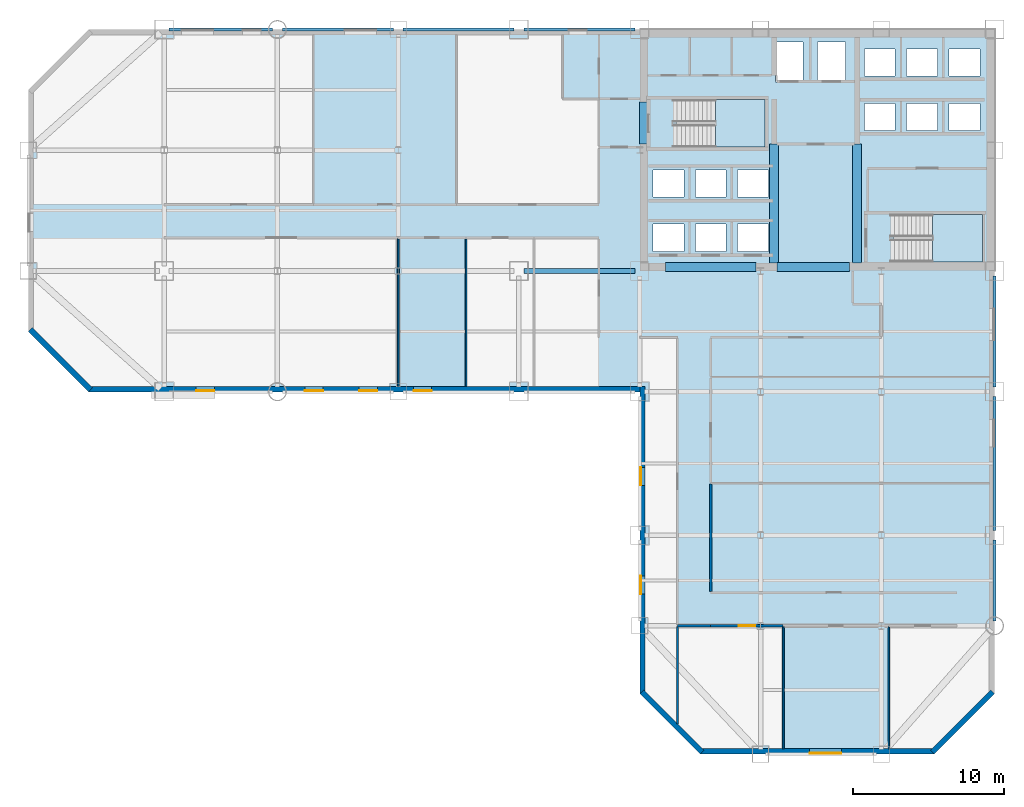
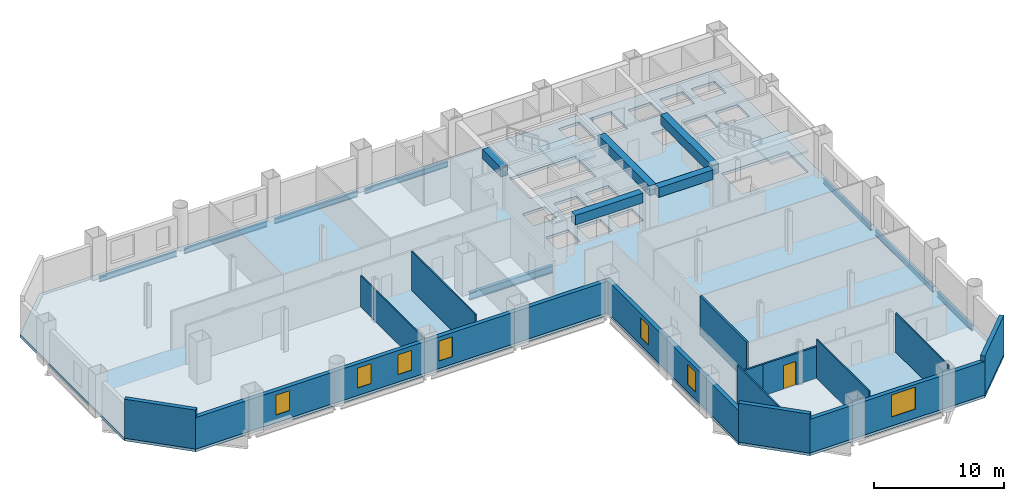
# One storey, part 4 of 9: 14 walls, 13 beams, 7 windows, 3 slabs, 1 door, 8 openings, 2 elements without a shape of their own.
"""IFC4 building model written with IfcOpenShell, lengths in metres."""

from ifc_helpers import new_model, si_unit, direction, frame, frame_2d, origin, origin_2d, place, context, subcontext, project, spatial, polyline, rectangle, i_section, outline, extrude, material, layer, layer_set, material_profile, profile_set, type_object, element, fill, aggregate, save


model = new_model("IFC4")

# Units and contexts
model_context = context("Model", 3, precision=1e-05, world=origin(), true_north=direction((0.0, 1.0)))
body_context = subcontext(model_context, "Body", "Model", "MODEL_VIEW")
ifc_project = project(units=[si_unit("LENGTHUNIT", "METRE"), si_unit("AREAUNIT", "SQUARE_METRE"), si_unit("VOLUMEUNIT", "CUBIC_METRE"), si_unit("PLANEANGLEUNIT", "RADIAN"), si_unit("MASSUNIT", "GRAM", prefix="KILO")], contexts=[model_context])

# Site, building, storey
site_placement = place(None, origin())
site = spatial("IfcSite", under=ifc_project, at=site_placement, CompositionType="ELEMENT")
building_placement = place(site_placement, origin())
building = spatial("IfcBuilding", under=site, at=building_placement, Name="Qianrong Seaharbour Tower", CompositionType="ELEMENT")
storey_placement = place(building_placement, frame((0.0, 0.0, 104.199951171875)))
storey = spatial("IfcBuildingStorey", under=building, at=storey_placement, Name="L25", CompositionType="ELEMENT", Elevation=104.199951171875)

# Beams
ifc_material_1 = material(Name="Structural steel SN490B", Category="steel")
ifc_material_profile_1 = material_profile(ifc_material_1, i_section(OverallWidth=0.300048828125, OverallDepth=0.699951171875, WebThickness=0.012939453125, FlangeThickness=0.02392578125, FilletRadius=0.02587890625, at=origin_2d()), Name="H700x300x13x24")
ifc_profile_set_1 = profile_set([ifc_material_profile_1], Name="Structural steel SN490B")
beam_type_1 = type_object("IfcBeamType", Name="BM-G-700", PredefinedType="BEAM", material=ifc_profile_set_1)
beam_1_placement = place(storey_placement, frame((32.820068359375, 36.0, -0.599853515625), z_axis=(1.0, 0.0, 0.0), x_axis=(0.0, 1.0, 0.0)))
element("IfcBeam", 1, at=beam_1_placement, inside=storey, type_object=beam_type_1, Name="L25 Primary Girder GF G5-G6", PredefinedType="BEAM", context=body_context, shape_type="SweptSolid", body=[
    extrude(i_section(OverallWidth=0.300048828125, OverallDepth=0.699951171875, WebThickness=0.012939453125, FlangeThickness=0.02392578125, FilletRadius=0.02587890625, at=origin_2d()), origin(), (0.0, 0.0, 1.0), 7.35986328125),
])
ifc_material_2 = material(Name="Concrete C70/85", Category="concrete")
ifc_material_profile_2 = material_profile(ifc_material_2, rectangle(XDim=0.60009765625, YDim=0.89990234375, at=origin_2d()), Name="RC600x900")
ifc_profile_set_2 = profile_set([ifc_material_profile_2], Name="Concrete C70/85")
beam_type_2 = type_object("IfcBeamType", Name="BM-LINTEL-900", PredefinedType="LINTEL", material=ifc_profile_set_2)
beam_2_placement = place(storey_placement, frame((40.77001953125, 44.39990234375, 3.199951171875), z_axis=(0.0, 1.0, 0.0), x_axis=(-1.0, 0.0, 0.0)))
element("IfcBeam", 2, at=beam_2_placement, inside=storey, type_object=beam_type_2, Name="L25 Core Coupling Lintel Beam West", PredefinedType="LINTEL", context=body_context, shape_type="SweptSolid", body=[
    extrude(rectangle(XDim=0.60009765625, YDim=0.89990234375, at=origin_2d()), origin(), (0.0, 0.0, 1.0), 2.800048828125),
])
beam_3_placement = place(storey_placement, frame((42.199951171875, 36.27001953125, 3.199951171875), z_axis=(1.0, 0.0, 0.0), x_axis=(0.0, 1.0, 0.0)))
element("IfcBeam", 3, at=beam_3_placement, inside=storey, type_object=beam_type_2, Name="L25 Core Coupling Lintel Beam CBW", PredefinedType="LINTEL", context=body_context, shape_type="SweptSolid", body=[
    extrude(rectangle(XDim=0.60009765625, YDim=0.89990234375, at=origin_2d()), origin(), (0.0, 0.0, 1.0), 6.0),
])
beam_4_placement = place(storey_placement, frame((49.60009765625, 36.27001953125, 3.199951171875), z_axis=(1.0, 0.0, 0.0), x_axis=(0.0, 1.0, 0.0)))
element("IfcBeam", 4, at=beam_4_placement, inside=storey, type_object=beam_type_2, Name="L25 Core Coupling Lintel Beam CBC", PredefinedType="LINTEL", context=body_context, shape_type="SweptSolid", body=[
    extrude(rectangle(XDim=0.60009765625, YDim=0.89990234375, at=origin_2d()), origin(), (0.0, 0.0, 1.0), 4.7998046875),
])
for number, where, z_axis, x_axis, name in (
    (5, (49.39990234375, 36.5400390625, 3.199951171875), (0.0, 1.0, 0.0), (-1.0, 0.0, 0.0), "L25 Internal Core Coupling Beam IW1"),
    (6, (54.89990234375, 36.5400390625, 3.199951171875), (0.0, 1.0, 0.0), (-1.0, 0.0, 0.0), "L25 Internal Core Coupling Beam IW2"),
):
    element("IfcBeam", number, at=place(storey_placement, frame(where, z_axis=z_axis, x_axis=x_axis)), inside=storey, type_object=beam_type_2, Name=name, PredefinedType="LINTEL", context=body_context, shape_type="SweptSolid", body=[
        extrude(rectangle(XDim=0.60009765625, YDim=0.89990234375, at=origin_2d()), origin(), (0.0, 0.0, 1.0), 7.85986328125),
    ])
ifc_material_profile_3 = material_profile(ifc_material_1, i_section(OverallWidth=0.199951171875, OverallDepth=0.5, WebThickness=0.010009765625, FlangeThickness=0.01611328125, FilletRadius=0.02001953125, at=origin_2d()), Name="H500x200x10x16")
ifc_profile_set_3 = profile_set([ifc_material_profile_3], Name="Structural steel SN490B")
beam_type_3 = type_object("IfcBeamType", Name="BM-SP-500", PredefinedType="SPANDREL", material=ifc_profile_set_3)
beam_5_placement = place(storey_placement, frame((9.320068359375, 52.0, -0.5), z_axis=(1.0, 0.0, 0.0), x_axis=(0.0, 1.0, 0.0)))
element("IfcBeam", 7, at=beam_5_placement, inside=storey, type_object=beam_type_3, Name="L25 Spandrel Girder GH G2-G3", PredefinedType="SPANDREL", context=body_context, shape_type="SweptSolid", body=[
    extrude(i_section(OverallWidth=0.199951171875, OverallDepth=0.5, WebThickness=0.010009765625, FlangeThickness=0.01611328125, FilletRadius=0.02001953125, at=origin_2d()), origin(), (0.0, 0.0, 1.0), 6.85986328125),
])
for number, where, z_axis, x_axis, name in (
    (8, (16.820068359375, 52.0, -0.5), (1.0, 0.0, 0.0), (0.0, 1.0, 0.0), "L25 Spandrel Girder GH G3-G4"),
    (9, (24.820068359375, 52.0, -0.5), (1.0, 0.0, 0.0), (0.0, 1.0, 0.0), "L25 Spandrel Girder GH G4-G5"),
    (10, (32.820068359375, 52.0, -0.5), (1.0, 0.0, 0.0), (0.0, 1.0, 0.0), "L25 Spandrel Girder GH G5-G6"),
):
    element("IfcBeam", number, at=place(storey_placement, frame(where, z_axis=z_axis, x_axis=x_axis)), inside=storey, type_object=beam_type_3, Name=name, PredefinedType="SPANDREL", context=body_context, shape_type="SweptSolid", body=[
        extrude(i_section(OverallWidth=0.199951171875, OverallDepth=0.5, WebThickness=0.010009765625, FlangeThickness=0.01611328125, FilletRadius=0.02001953125, at=origin_2d()), origin(), (0.0, 0.0, 1.0), 7.35986328125),
    ])
beam_6_placement = place(storey_placement, frame((64.0, 12.820068359375, -0.5), z_axis=(0.0, 1.0, 0.0), x_axis=(-1.0, 0.0, 0.0)))
element("IfcBeam", 11, at=beam_6_placement, inside=storey, type_object=beam_type_3, Name="L25 Spandrel Girder G9 GC-GD", PredefinedType="SPANDREL", context=body_context, shape_type="SweptSolid", body=[
    extrude(i_section(OverallWidth=0.199951171875, OverallDepth=0.5, WebThickness=0.010009765625, FlangeThickness=0.01611328125, FilletRadius=0.02001953125, at=origin_2d()), origin(), (0.0, 0.0, 1.0), 5.35986328125),
])
beam_7_placement = place(storey_placement, frame((64.0, 18.820068359375, -0.5), z_axis=(0.0, 1.0, 0.0), x_axis=(-1.0, 0.0, 0.0)))
element("IfcBeam", 12, at=beam_7_placement, inside=storey, type_object=beam_type_3, Name="L25 Spandrel Girder G9 GD-GE", PredefinedType="SPANDREL", context=body_context, shape_type="SweptSolid", body=[
    extrude(i_section(OverallWidth=0.199951171875, OverallDepth=0.5, WebThickness=0.010009765625, FlangeThickness=0.01611328125, FilletRadius=0.02001953125, at=origin_2d()), origin(), (0.0, 0.0, 1.0), 8.85986328125),
])
beam_8_placement = place(storey_placement, frame((64.0, 28.320068359375, -0.5), z_axis=(0.0, 1.0, 0.0), x_axis=(-1.0, 0.0, 0.0)))
element("IfcBeam", 13, at=beam_8_placement, inside=storey, type_object=beam_type_3, Name="L25 Spandrel Girder G9 GE-GF", PredefinedType="SPANDREL", context=body_context, shape_type="SweptSolid", body=[
    extrude(i_section(OverallWidth=0.199951171875, OverallDepth=0.5, WebThickness=0.010009765625, FlangeThickness=0.01611328125, FilletRadius=0.02001953125, at=origin_2d()), origin(), (0.0, 0.0, 1.0), 7.35986328125),
])

# Stair, slab
ifc_material_3 = material(Name="Concrete C50/60", Category="concrete")
stair_type = type_object("IfcStairType", Name="STAIR-DOGLEG-1500-R22", PredefinedType="HALF_TURN_STAIR", material=ifc_material_3)
stair_1_placement = place(storey_placement, origin())
stair_1 = element("IfcStair", 14, at=stair_1_placement, inside=storey, type_object=stair_type, Name="L25 Protected Escape Stair ST-1", PredefinedType="HALF_TURN_STAIR")
ifc_layer_1 = layer(ifc_material_3, 0.199951171875)
ifc_layer_set_1 = layer_set([ifc_layer_1], Name="Concrete C50/60")
slab_type_1 = type_object("IfcSlabType", Name="SLAB-STAIR-LANDING-200", PredefinedType="LANDING", material=ifc_layer_set_1)
slab_1_placement = place(storey_placement, frame((0.0, 0.0, 1.800048828125)))
slab_1 = element("IfcSlab", 15, at=slab_1_placement, type_object=slab_type_1, Name="ST-1 landing 1", PredefinedType="LANDING", context=body_context, shape_type="SweptSolid", body=[
    extrude(outline(polyline([(45.5, 44.199951171875), (48.800048828125, 44.199951171875), (48.800048828125, 47.35009765625), (45.5, 47.35009765625), (45.5, 44.199951171875)])), origin(), (0.0, 0.0, 1.0), 0.199951171875),
])
aggregate(stair_1, [slab_1])

stair_2_placement = place(storey_placement, origin())
stair_2 = element("IfcStair", 16, at=stair_2_placement, inside=storey, type_object=stair_type, Name="L25 Protected Escape Stair ST-2", PredefinedType="HALF_TURN_STAIR")
slab_2_placement = place(storey_placement, frame((0.0, 0.0, 1.800048828125)))
slab_2 = element("IfcSlab", 17, at=slab_2_placement, type_object=slab_type_1, Name="ST-2 landing 1", PredefinedType="LANDING", context=body_context, shape_type="SweptSolid", body=[
    extrude(outline(polyline([(59.89990234375, 36.60009765625), (63.199951171875, 36.60009765625), (63.199951171875, 39.75), (59.89990234375, 39.75), (59.89990234375, 36.60009765625)])), origin(), (0.0, 0.0, 1.0), 0.199951171875),
])
aggregate(stair_2, [slab_2])

# Slab
ifc_layer_2 = layer(ifc_material_3, 0.25)
ifc_layer_set_2 = layer_set([ifc_layer_2], Name="Concrete C50/60")
slab_type_2 = type_object("IfcSlabType", Name="SLAB-Z1-250", PredefinedType="FLOOR", material=ifc_layer_set_2)
slab_3_placement = place(storey_placement, frame((0.0, 0.0, -0.25)))
element("IfcSlab", 18, at=slab_3_placement, inside=storey, type_object=slab_type_2, Name="L25 Structural Floor Slab", PredefinedType="FLOOR", context=body_context, shape_type="SweptSolid", body=[
    extrude(outline(polyline([(44.5, 4.0), (60.0, 4.0), (64.0, 8.0), (64.0, 52.0), (4.0, 52.0), (0.0, 48.0), (0.0, 32.0), (4.0, 28.0), (40.5, 28.0), (40.5, 8.0), (44.5, 4.0)]), holes=[polyline([(42.93994140625, 44.199951171875), (42.93994140625, 47.35009765625), (48.800048828125, 47.35009765625), (48.800048828125, 44.199951171875), (42.93994140625, 44.199951171875)]), polyline([(57.340087890625, 36.60009765625), (57.340087890625, 39.75), (63.199951171875, 39.75), (63.199951171875, 36.60009765625), (57.340087890625, 36.60009765625)]), polyline([(49.47998046875, 48.530029296875), (49.47998046875, 51.169921875), (51.320068359375, 51.169921875), (51.320068359375, 48.530029296875), (49.47998046875, 48.530029296875)]), polyline([(52.280029296875, 48.530029296875), (52.280029296875, 51.169921875), (54.1201171875, 51.169921875), (54.1201171875, 48.530029296875), (52.280029296875, 48.530029296875)]), polyline([(41.3798828125, 37.300048828125), (41.3798828125, 39.10009765625), (43.419921875, 39.10009765625), (43.419921875, 37.300048828125), (41.3798828125, 37.300048828125)]), polyline([(44.179931640625, 37.300048828125), (44.179931640625, 39.10009765625), (46.219970703125, 39.10009765625), (46.219970703125, 37.300048828125), (44.179931640625, 37.300048828125)]), polyline([(46.97998046875, 37.300048828125), (46.97998046875, 39.10009765625), (49.02001953125, 39.10009765625), (49.02001953125, 37.300048828125), (46.97998046875, 37.300048828125)]), polyline([(41.3798828125, 40.89990234375), (41.3798828125, 42.699951171875), (43.419921875, 42.699951171875), (43.419921875, 40.89990234375), (41.3798828125, 40.89990234375)]), polyline([(44.179931640625, 40.89990234375), (44.179931640625, 42.699951171875), (46.219970703125, 42.699951171875), (46.219970703125, 40.89990234375), (44.179931640625, 40.89990234375)]), polyline([(46.97998046875, 40.89990234375), (46.97998046875, 42.699951171875), (49.02001953125, 42.699951171875), (49.02001953125, 40.89990234375), (46.97998046875, 40.89990234375)]), polyline([(55.3798828125, 45.300048828125), (55.3798828125, 47.10009765625), (57.419921875, 47.10009765625), (57.419921875, 45.300048828125), (55.3798828125, 45.300048828125)]), polyline([(58.179931640625, 45.300048828125), (58.179931640625, 47.10009765625), (60.219970703125, 47.10009765625), (60.219970703125, 45.300048828125), (58.179931640625, 45.300048828125)]), polyline([(60.97998046875, 45.300048828125), (60.97998046875, 47.10009765625), (63.02001953125, 47.10009765625), (63.02001953125, 45.300048828125), (60.97998046875, 45.300048828125)]), polyline([(55.3798828125, 48.89990234375), (55.3798828125, 50.699951171875), (57.419921875, 50.699951171875), (57.419921875, 48.89990234375), (55.3798828125, 48.89990234375)]), polyline([(58.179931640625, 48.89990234375), (58.179931640625, 50.699951171875), (60.219970703125, 50.699951171875), (60.219970703125, 48.89990234375), (58.179931640625, 48.89990234375)]), polyline([(60.97998046875, 48.89990234375), (60.97998046875, 50.699951171875), (63.02001953125, 50.699951171875), (63.02001953125, 48.89990234375), (60.97998046875, 48.89990234375)])]), origin(), (0.0, 0.0, 1.0), 0.25),
])

# Walls
ifc_material_4 = material(Name="Fire-rated acoustic gypsum board partition")
ifc_layer_3 = layer(ifc_material_4, 0.1650390625)
ifc_layer_set_3 = layer_set([ifc_layer_3], Name="Fire-rated acoustic gypsum board partition")
wall_type_1 = type_object("IfcWallType", Name="WALL-CORR-PART-165", PredefinedType="PARTITIONING", material=ifc_layer_set_3)
wall_1_placement = place(storey_placement, frame((45.199951171875, 21.89306640625, 0.0), z_axis=(0.0, 0.0, 1.0), x_axis=(0.0, -1.0, 0.0)))
element("IfcWall", 19, at=wall_1_placement, inside=storey, type_object=wall_type_1, Name="L25 Interior Partition Wall 029", PredefinedType="PARTITIONING", context=body_context, shape_type="SweptSolid", body=[
    extrude(rectangle(XDim=7.11865234375, YDim=0.1650390625, at=frame_2d((3.559326171875, 0.0))), origin(), (0.0, 0.0, 1.0), 3.650146484375),
])
wall_2_placement = place(storey_placement, frame((45.199951171875, 12.5, 0.0), z_axis=(0.0, 0.0, 1.0), x_axis=(-1.0, 0.0, 0.0)))
element("IfcWall", 20, at=wall_2_placement, inside=storey, type_object=wall_type_1, Name="L25 Interior Partition Wall 033", PredefinedType="PARTITIONING", context=body_context, shape_type="SweptSolid", body=[
    extrude(rectangle(XDim=2.199951171875, YDim=0.1650390625, at=frame_2d((1.10009765625, 0.0))), origin(), (0.0, 0.0, 1.0), 2.942138671875),
])

# Wall, opening, door
wall_3_placement = place(storey_placement, frame((50.0, 12.5, 0.0), z_axis=(0.0, 0.0, 1.0), x_axis=(-1.0, 0.0, 0.0)))
wall_3 = element("IfcWall", 21, at=wall_3_placement, inside=storey, type_object=wall_type_1, Name="L25 Interior Partition Wall 035", PredefinedType="PARTITIONING", context=body_context, shape_type="SweptSolid", body=[
    extrude(rectangle(XDim=4.800048828125, YDim=0.1650390625, at=frame_2d((2.39990234375, 0.0))), origin(), (0.0, 0.0, 1.0), 2.942138671875),
])
opening_1_placement = place(wall_3_placement, frame((1.85009765625, 0.0, 0.0)))
opening_1 = element("IfcOpeningElement", 22, at=opening_1_placement, cuts=wall_3, Name="Opening DM-01", PredefinedType="OPENING", context=body_context, shape_type="SweptSolid", body=[
    extrude(rectangle(XDim=1.10009765625, YDim=2.199951171875, at=frame_2d((0.550048828125, 1.10009765625))), frame((0.0, 0.092529296875, 0.0), z_axis=(0.0, -1.0, 0.0), x_axis=(1.0, 0.0, 0.0)), (0.0, 0.0, 1.0), 0.18505859375),
])
ifc_material_5 = material(Name="Acoustic timber and galvanized steel fire door assembly", Category="steel")
door_type = type_object("IfcDoorType", Name="DOOR-MEET-1100x2200", OperationType="NOTDEFINED", PredefinedType="DOOR", material=ifc_material_5)
door_placement = place(opening_1_placement, origin())
door = element("IfcDoor", 23, at=door_placement, inside=storey, type_object=door_type, Name="L25 Mediation Meeting Room 1 Door", OperationType="SINGLE_SWING_RIGHT", OverallHeight=2.199951171875, OverallWidth=1.10009765625, PredefinedType="DOOR", context=body_context, shape_type="SweptSolid", body=[
    extrude(rectangle(XDim=1.10009765625, YDim=2.199951171875, at=frame_2d((0.550048828125, 1.10009765625))), frame((0.0, 0.02490234375, 0.0), z_axis=(0.0, -1.0, 0.0), x_axis=(1.0, 0.0, 0.0)), (0.0, 0.0, 1.0), 0.050048828125),
])
fill(opening_1, door)

# Walls
ifc_material_6 = material(Name="Demountable aluminium-framed acoustic office partition", Category="aluminium")
ifc_layer_4 = layer(ifc_material_6, 0.110107421875)
ifc_layer_set_4 = layer_set([ifc_layer_4], Name="Demountable aluminium-framed acoustic office partition")
wall_type_2 = type_object("IfcWallType", Name="WALL-DEMOUNT-110", PredefinedType="MOVABLE", material=ifc_layer_set_4)
wall_4_placement = place(storey_placement, frame((24.5, 38.12548828125, 0.0), z_axis=(0.0, 0.0, 1.0), x_axis=(0.0, -1.0, 0.0)))
element("IfcWall", 24, at=wall_4_placement, inside=storey, type_object=wall_type_2, Name="L25 Interior Partition Wall 040", PredefinedType="MOVABLE", context=body_context, shape_type="SweptSolid", body=[
    extrude(rectangle(XDim=9.7734375, YDim=0.110107421875, at=frame_2d((4.88671875, 0.0))), origin(), (0.0, 0.0, 1.0), 2.942138671875),
])
wall_5_placement = place(storey_placement, frame((29.0, 38.12548828125, 0.0), z_axis=(0.0, 0.0, 1.0), x_axis=(0.0, -1.0, 0.0)))
element("IfcWall", 25, at=wall_5_placement, inside=storey, type_object=wall_type_2, Name="L25 Interior Partition Wall 041", PredefinedType="MOVABLE", context=body_context, shape_type="SweptSolid", body=[
    extrude(rectangle(XDim=9.7734375, YDim=0.110107421875, at=frame_2d((4.88671875, 0.0))), origin(), (0.0, 0.0, 1.0), 3.650146484375),
])
for number, where, z_axis, x_axis, name in (
    (26, (50.0, 12.425537109375, 0.0), (0.0, 0.0, 1.0), (0.0, -1.0, 0.0), "L25 Interior Partition Wall 046"),
    (27, (57.0, 12.425537109375, 0.0), (0.0, 0.0, 1.0), (0.0, -1.0, 0.0), "L25 Interior Partition Wall 047"),
):
    element("IfcWall", number, at=place(storey_placement, frame(where, z_axis=z_axis, x_axis=x_axis)), inside=storey, type_object=wall_type_2, Name=name, PredefinedType="MOVABLE", context=body_context, shape_type="SweptSolid", body=[
        extrude(rectangle(XDim=8.073486328125, YDim=0.110107421875, at=frame_2d((4.03662109375, 0.0))), origin(), (0.0, 0.0, 1.0), 3.650146484375),
    ])

# Wall, openings, windows
ifc_material_7 = material(Name="Unitised red brick on Precast concrete C45/55", Category="masonry")
ifc_layer_5 = layer(ifc_material_7, 0.360107421875)
ifc_layer_set_5 = layer_set([ifc_layer_5], Name="Unitised red brick on Precast concrete C45/55")
wall_type_3 = type_object("IfcWallType", Name="WALL-EXT-BRICK-RED-360", PredefinedType="SOLIDWALL", material=ifc_layer_set_5)
wall_6_placement = place(storey_placement, frame((40.679931640625, 8.0, 0.0), z_axis=(0.0, 0.0, 1.0), x_axis=(0.0, 1.0, 0.0)))
wall_6 = element("IfcWall", 28, at=wall_6_placement, inside=storey, type_object=wall_type_3, Name="L25 Exterior Masonry Facade Wall REENTRANT_WEST", PredefinedType="SOLIDWALL", context=body_context, shape_type="SweptSolid", body=[
    extrude(rectangle(XDim=20.360107421875, YDim=0.360107421875, at=frame_2d((10.18017578125, 0.0))), origin(), (0.0, 0.0, 1.0), 2.949951171875),
])
opening_2_placement = place(wall_6_placement, frame((6.60009765625, 0.0, 0.699951171875)))
opening_2 = element("IfcOpeningElement", 29, at=opening_2_placement, cuts=wall_6, Name="Opening WN-01", PredefinedType="OPENING", context=body_context, shape_type="SweptSolid", body=[
    extrude(rectangle(XDim=1.199951171875, YDim=1.85009765625, at=frame_2d((0.60009765625, 0.925048828125))), frame((0.0, 0.18994140625, 0.0), z_axis=(0.0, -1.0, 0.0), x_axis=(1.0, 0.0, 0.0)), (0.0, 0.0, 1.0), 0.380126953125),
])
opening_3_placement = place(wall_6_placement, frame((13.800048828125, 0.0, 0.699951171875)))
opening_3 = element("IfcOpeningElement", 30, at=opening_3_placement, cuts=wall_6, Name="Opening WN-01", PredefinedType="OPENING", context=body_context, shape_type="SweptSolid", body=[
    extrude(rectangle(XDim=1.199951171875, YDim=1.85009765625, at=frame_2d((0.60009765625, 0.925048828125))), frame((0.0, 0.18994140625, 0.0), z_axis=(0.0, -1.0, 0.0), x_axis=(1.0, 0.0, 0.0)), (0.0, 0.0, 1.0), 0.380126953125),
])
ifc_material_8 = material(Name="Insulated low-e double glazing in thermally broken aluminium 6063-T6 frame", Category="aluminium")
window_type_1 = type_object("IfcWindowType", Name="WIN-PUNCH-1200x1850", PartitioningType="DOUBLE_PANEL_VERTICAL", PredefinedType="WINDOW", material=ifc_material_8)
window_1_placement = place(opening_2_placement, origin())
window_1 = element("IfcWindow", 31, at=window_1_placement, inside=storey, type_object=window_type_1, Name="L25 Deep-Set Punched Window 00.02", OverallHeight=1.85009765625, OverallWidth=1.199951171875, PartitioningType="DOUBLE_PANEL_VERTICAL", PredefinedType="WINDOW", context=body_context, shape_type="SweptSolid", body=[
    extrude(rectangle(XDim=1.199951171875, YDim=1.85009765625, at=frame_2d((0.60009765625, 0.925048828125))), frame((0.0, 0.150146484375, 0.0), z_axis=(0.0, -1.0, 0.0), x_axis=(1.0, 0.0, 0.0)), (0.0, 0.0, 1.0), 0.06005859375),
])
fill(opening_2, window_1)
window_2_placement = place(opening_3_placement, origin())
window_2 = element("IfcWindow", 32, at=window_2_placement, inside=storey, type_object=window_type_1, Name="L25 Deep-Set Punched Window 00.04", OverallHeight=1.85009765625, OverallWidth=1.199951171875, PartitioningType="DOUBLE_PANEL_VERTICAL", PredefinedType="WINDOW", context=body_context, shape_type="SweptSolid", body=[
    extrude(rectangle(XDim=1.199951171875, YDim=1.85009765625, at=frame_2d((0.60009765625, 0.925048828125))), frame((0.0, 0.150146484375, 0.0), z_axis=(0.0, -1.0, 0.0), x_axis=(1.0, 0.0, 0.0)), (0.0, 0.0, 1.0), 0.06005859375),
])
fill(opening_3, window_2)

wall_7_placement = place(storey_placement, frame((40.52001953125, 28.179931640625, 0.0), z_axis=(0.0, 0.0, 1.0), x_axis=(-1.0, 0.0, 0.0)))
wall_7 = element("IfcWall", 33, at=wall_7_placement, inside=storey, type_object=wall_type_3, Name="L25 Exterior Masonry Facade Wall HARBOUR_RIBBON", PredefinedType="SOLIDWALL", context=body_context, shape_type="SweptSolid", body=[
    extrude(rectangle(XDim=36.52001953125, YDim=0.360107421875, at=frame_2d((18.260009765625, 0.0))), origin(), (0.0, 0.0, 1.0), 2.949951171875),
])
opening_4_placement = place(wall_7_placement, frame((13.800048828125, 0.0, 0.699951171875)))
opening_4 = element("IfcOpeningElement", 34, at=opening_4_placement, cuts=wall_7, Name="Opening WN-01", PredefinedType="OPENING", context=body_context, shape_type="SweptSolid", body=[
    extrude(rectangle(XDim=1.199951171875, YDim=1.85009765625, at=frame_2d((0.60009765625, 0.925048828125))), frame((0.0, 0.18994140625, 0.0), z_axis=(0.0, -1.0, 0.0), x_axis=(1.0, 0.0, 0.0)), (0.0, 0.0, 1.0), 0.380126953125),
])
opening_5_placement = place(wall_7_placement, frame((17.39990234375, 0.0, 0.699951171875)))
opening_5 = element("IfcOpeningElement", 35, at=opening_5_placement, cuts=wall_7, Name="Opening WN-01", PredefinedType="OPENING", context=body_context, shape_type="SweptSolid", body=[
    extrude(rectangle(XDim=1.199951171875, YDim=1.85009765625, at=frame_2d((0.60009765625, 0.925048828125))), frame((0.0, 0.18994140625, 0.0), z_axis=(0.0, -1.0, 0.0), x_axis=(1.0, 0.0, 0.0)), (0.0, 0.0, 1.0), 0.380126953125),
])
opening_6_placement = place(wall_7_placement, frame((21.0, 0.0, 0.699951171875)))
opening_6 = element("IfcOpeningElement", 36, at=opening_6_placement, cuts=wall_7, Name="Opening WN-01", PredefinedType="OPENING", context=body_context, shape_type="SweptSolid", body=[
    extrude(rectangle(XDim=1.199951171875, YDim=1.85009765625, at=frame_2d((0.60009765625, 0.925048828125))), frame((0.0, 0.18994140625, 0.0), z_axis=(0.0, -1.0, 0.0), x_axis=(1.0, 0.0, 0.0)), (0.0, 0.0, 1.0), 0.380126953125),
])
opening_7_placement = place(wall_7_placement, frame((28.199951171875, 0.0, 0.699951171875)))
opening_7 = element("IfcOpeningElement", 37, at=opening_7_placement, cuts=wall_7, Name="Opening WN-01", PredefinedType="OPENING", context=body_context, shape_type="SweptSolid", body=[
    extrude(rectangle(XDim=1.199951171875, YDim=1.85009765625, at=frame_2d((0.60009765625, 0.925048828125))), frame((0.0, 0.18994140625, 0.0), z_axis=(0.0, -1.0, 0.0), x_axis=(1.0, 0.0, 0.0)), (0.0, 0.0, 1.0), 0.380126953125),
])
window_3_placement = place(opening_4_placement, origin())
window_3 = element("IfcWindow", 38, at=window_3_placement, inside=storey, type_object=window_type_1, Name="L25 Deep-Set Punched Window 01.04", OverallHeight=1.85009765625, OverallWidth=1.199951171875, PartitioningType="DOUBLE_PANEL_VERTICAL", PredefinedType="WINDOW", context=body_context, shape_type="SweptSolid", body=[
    extrude(rectangle(XDim=1.199951171875, YDim=1.85009765625, at=frame_2d((0.60009765625, 0.925048828125))), frame((0.0, 0.150146484375, 0.0), z_axis=(0.0, -1.0, 0.0), x_axis=(1.0, 0.0, 0.0)), (0.0, 0.0, 1.0), 0.06005859375),
])
fill(opening_4, window_3)
window_4_placement = place(opening_5_placement, origin())
window_4 = element("IfcWindow", 39, at=window_4_placement, inside=storey, type_object=window_type_1, Name="L25 Deep-Set Punched Window 01.05", OverallHeight=1.85009765625, OverallWidth=1.199951171875, PartitioningType="DOUBLE_PANEL_VERTICAL", PredefinedType="WINDOW", context=body_context, shape_type="SweptSolid", body=[
    extrude(rectangle(XDim=1.199951171875, YDim=1.85009765625, at=frame_2d((0.60009765625, 0.925048828125))), frame((0.0, 0.150146484375, 0.0), z_axis=(0.0, -1.0, 0.0), x_axis=(1.0, 0.0, 0.0)), (0.0, 0.0, 1.0), 0.06005859375),
])
fill(opening_5, window_4)
window_5_placement = place(opening_6_placement, origin())
window_5 = element("IfcWindow", 40, at=window_5_placement, inside=storey, type_object=window_type_1, Name="L25 Deep-Set Punched Window 01.06", OverallHeight=1.85009765625, OverallWidth=1.199951171875, PartitioningType="DOUBLE_PANEL_VERTICAL", PredefinedType="WINDOW", context=body_context, shape_type="SweptSolid", body=[
    extrude(rectangle(XDim=1.199951171875, YDim=1.85009765625, at=frame_2d((0.60009765625, 0.925048828125))), frame((0.0, 0.150146484375, 0.0), z_axis=(0.0, -1.0, 0.0), x_axis=(1.0, 0.0, 0.0)), (0.0, 0.0, 1.0), 0.06005859375),
])
fill(opening_6, window_5)
window_6_placement = place(opening_7_placement, origin())
window_6 = element("IfcWindow", 41, at=window_6_placement, inside=storey, type_object=window_type_1, Name="L25 Deep-Set Punched Window 01.08", OverallHeight=1.85009765625, OverallWidth=1.199951171875, PartitioningType="DOUBLE_PANEL_VERTICAL", PredefinedType="WINDOW", context=body_context, shape_type="SweptSolid", body=[
    extrude(rectangle(XDim=1.199951171875, YDim=1.85009765625, at=frame_2d((0.60009765625, 0.925048828125))), frame((0.0, 0.150146484375, 0.0), z_axis=(0.0, -1.0, 0.0), x_axis=(1.0, 0.0, 0.0)), (0.0, 0.0, 1.0), 0.06005859375),
])
fill(opening_7, window_6)

# Walls
for number, where, z_axis, x_axis, name in (
    (42, (4.127197265625, 28.127197265625, 0.0), (0.0, 0.0, 1.0), (-0.707106781187, 0.707106781187, 0.0), "L25 Exterior Masonry Facade Wall E02"),
    (43, (63.872802734375, 8.127197265625, 0.0), (0.0, 0.0, 1.0), (-0.707106781187, -0.707106781187, 0.0), "L25 Exterior Masonry Facade Wall E07"),
):
    element("IfcWall", number, at=place(storey_placement, frame(where, z_axis=z_axis, x_axis=x_axis)), inside=storey, type_object=wall_type_3, Name=name, PredefinedType="SOLIDWALL", context=body_context, shape_type="SweptSolid", body=[
        extrude(rectangle(XDim=5.65673828125, YDim=0.360107421875, at=frame_2d((2.828369140625, 0.0))), origin(), (0.0, 0.0, 1.0), 3.650146484375),
    ])

# Wall, opening, window
wall_8_placement = place(storey_placement, frame((60.0, 4.179931640625, 0.0), z_axis=(0.0, 0.0, 1.0), x_axis=(-1.0, 0.0, 0.0)))
wall_8 = element("IfcWall", 44, at=wall_8_placement, inside=storey, type_object=wall_type_3, Name="L25 Exterior Masonry Facade Wall SOUTH_TIP", PredefinedType="SOLIDWALL", context=body_context, shape_type="SweptSolid", body=[
    extrude(rectangle(XDim=15.5, YDim=0.360107421875, at=frame_2d((7.75, 0.0))), origin(), (0.0, 0.0, 1.0), 3.150146484375),
])
opening_8_placement = place(wall_8_placement, frame((6.14990234375, 0.0, 0.85009765625)))
opening_8 = element("IfcOpeningElement", 45, at=opening_8_placement, cuts=wall_8, Name="Opening WN-06", PredefinedType="OPENING", context=body_context, shape_type="SweptSolid", body=[
    extrude(rectangle(XDim=2.10009765625, YDim=2.050048828125, at=frame_2d((1.050048828125, 1.02490234375))), frame((0.0, 0.18994140625, 0.0), z_axis=(0.0, -1.0, 0.0), x_axis=(1.0, 0.0, 0.0)), (0.0, 0.0, 1.0), 0.380126953125),
])
window_type_2 = type_object("IfcWindowType", Name="WIN-PUNCH-2100x2050", PartitioningType="TRIPLE_PANEL_VERTICAL", PredefinedType="WINDOW", material=ifc_material_8)
window_7_placement = place(opening_8_placement, origin())
window_7 = element("IfcWindow", 46, at=window_7_placement, inside=storey, type_object=window_type_2, Name="L25 Deep-Set Punched Window 08.02", OverallHeight=2.050048828125, OverallWidth=2.10009765625, PartitioningType="TRIPLE_PANEL_VERTICAL", PredefinedType="WINDOW", context=body_context, shape_type="SweptSolid", body=[
    extrude(rectangle(XDim=2.10009765625, YDim=2.050048828125, at=frame_2d((1.050048828125, 1.02490234375))), frame((0.0, 0.150146484375, 0.0), z_axis=(0.0, -1.0, 0.0), x_axis=(1.0, 0.0, 0.0)), (0.0, 0.0, 1.0), 0.06005859375),
])
fill(opening_8, window_7)

# Walls
wall_9_placement = place(storey_placement, frame((44.627197265625, 4.127197265625, 0.0), z_axis=(0.0, 0.0, 1.0), x_axis=(-0.707106781187, 0.707106781187, 0.0)))
element("IfcWall", 47, at=wall_9_placement, inside=storey, type_object=wall_type_3, Name="L25 Exterior Masonry Facade Wall E09", PredefinedType="SOLIDWALL", context=body_context, shape_type="SweptSolid", body=[
    extrude(rectangle(XDim=5.65673828125, YDim=0.360107421875, at=frame_2d((2.828369140625, 0.0))), origin(), (0.0, 0.0, 1.0), 3.650146484375),
])
ifc_material_9 = material(Name="Water-resistant cement board sanitary partition")
ifc_layer_6 = layer(ifc_material_9, 0.1298828125)
ifc_layer_set_6 = layer_set([ifc_layer_6], Name="Water-resistant cement board sanitary partition")
wall_type_4 = type_object("IfcWallType", Name="WALL-WET-PART-130", PredefinedType="PARTITIONING", material=ifc_layer_set_6)
wall_10_placement = place(storey_placement, frame((43.0, 12.425537109375, 0.0), z_axis=(0.0, 0.0, 1.0), x_axis=(0.0, -1.0, 0.0)))
element("IfcWall", 48, at=wall_10_placement, inside=storey, type_object=wall_type_4, Name="L25 Interior Partition Wall 045", PredefinedType="PARTITIONING", context=body_context, shape_type="SweptSolid", body=[
    extrude(rectangle(XDim=6.427734375, YDim=0.1298828125, at=frame_2d((3.2138671875, 0.0))), origin(), (0.0, 0.0, 1.0), 3.650146484375),
])

save(model, "model.ifc")
